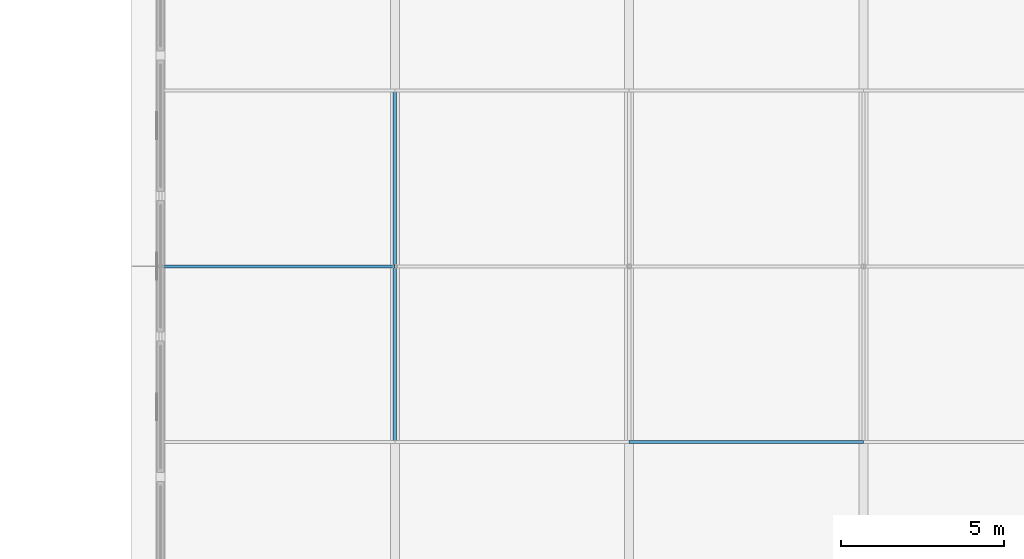
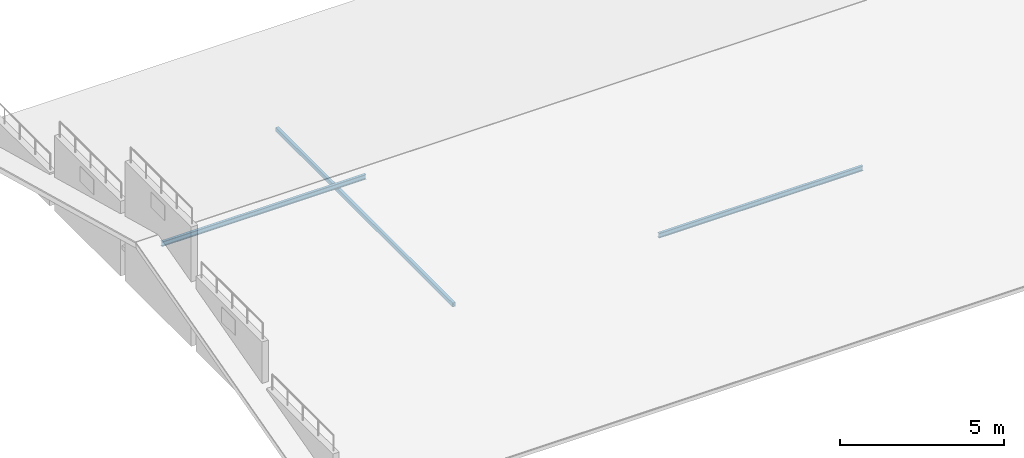
# One storey, part 14 of 124: 3 members.
"""IFC4 building model written with IfcOpenShell, lengths in metres."""

from ifc_helpers import new_model, si_unit, direction, frame, origin, origin_2d, place, context, subcontext, project, spatial, hollow_rectangle, i_section, extrude, material, material_profile, profile_set, type_object, element, save


model = new_model("IFC4")

# Units and contexts
model_context = context("Model", 3, precision=1e-05, world=origin(), true_north=direction((0.0, 1.0)))
body_context = subcontext(model_context, "Body", "Model", "MODEL_VIEW")
ifc_project = project(units=[si_unit("LENGTHUNIT", "METRE"), si_unit("AREAUNIT", "SQUARE_METRE"), si_unit("VOLUMEUNIT", "CUBIC_METRE"), si_unit("PLANEANGLEUNIT", "RADIAN"), si_unit("MASSUNIT", "GRAM", prefix="KILO"), si_unit("THERMODYNAMICTEMPERATUREUNIT", "KELVIN"), si_unit("POWERUNIT", "WATT")], contexts=[model_context])

# Site, building, storey
site_placement = place(None, origin())
site = spatial("IfcSite", under=ifc_project, at=site_placement, CompositionType="ELEMENT")
building_placement = place(site_placement, origin())
building = spatial("IfcBuilding", under=site, at=building_placement, Name="Tavuni Mirador Residences", CompositionType="ELEMENT")
storey_placement = place(building_placement, frame((0.0, 0.0, 7.64990234375)))
storey = spatial("IfcBuildingStorey", under=building, at=storey_placement, Name="L02", CompositionType="ELEMENT", Elevation=7.64990234375)

# Members
ifc_material = material(Name="Structural steel S355", Category="steel")
ifc_material_profile_1 = material_profile(ifc_material, hollow_rectangle(XDim=0.10009765625, YDim=0.14990234375, WallThickness=0.008056640625, at=origin_2d()), Name="RHS 150x100x8.0", Category="steel")
ifc_profile_set_1 = profile_set([ifc_material_profile_1], Name="Structural steel S355")
member_type_1 = type_object("IfcMemberType", Name="MT-BR-RHS150", PredefinedType="BRACE", material=ifc_profile_set_1)
member_placement = place(storey_placement, frame((54.0, 12.60009765625, 1.050048828125), z_axis=(0.0, 1.0, 0.0), x_axis=(-1.0, 0.0, 0.0)))
element("IfcMember", 1, at=member_placement, inside=storey, type_object=member_type_1, Name="RTIE-PAV-SHOP-01", PredefinedType="BRACE", context=body_context, shape_type="SweptSolid", body=[
    extrude(hollow_rectangle(XDim=0.10009765625, YDim=0.14990234375, WallThickness=0.008056640625, at=origin_2d()), origin(), (0.0, 0.0, 1.0), 10.7998046875),
])
ifc_material_profile_2 = material_profile(ifc_material, i_section(OverallWidth=0.091064453125, OverallDepth=0.179931640625, WebThickness=0.00537109375, FlangeThickness=0.008056640625, FilletRadius=0.009033203125, at=origin_2d()), Name="IPE 180", Category="steel")
ifc_profile_set_2 = profile_set([ifc_material_profile_2], Name="Structural steel S355")
member_type_2 = type_object("IfcMemberType", Name="MT-PR-IPE180", PredefinedType="PURLIN", material=ifc_profile_set_2)
for number, where, z_axis, x_axis, name in (
    (2, (61.199951171875, 12.60009765625, 1.114990234375), (1.0, 0.0, 0.0), (0.0, 1.0, 0.0), "RPUR-PAV-SHOP-25-02"),
    (3, (46.800048828125, 18.0, 2.565185546875), (1.0, 0.0, 0.0), (0.0, 1.0, 0.0), "RPUR-PAV-SHOP-50-00"),
):
    element("IfcMember", number, at=place(storey_placement, frame(where, z_axis=z_axis, x_axis=x_axis)), inside=storey, type_object=member_type_2, Name=name, PredefinedType="PURLIN", context=body_context, shape_type="SweptSolid", body=[
        extrude(i_section(OverallWidth=0.091064453125, OverallDepth=0.179931640625, WebThickness=0.00537109375, FlangeThickness=0.008056640625, FilletRadius=0.009033203125, at=origin_2d()), origin(), (0.0, 0.0, 1.0), 7.199951171875),
    ])

save(model, "model.ifc")
